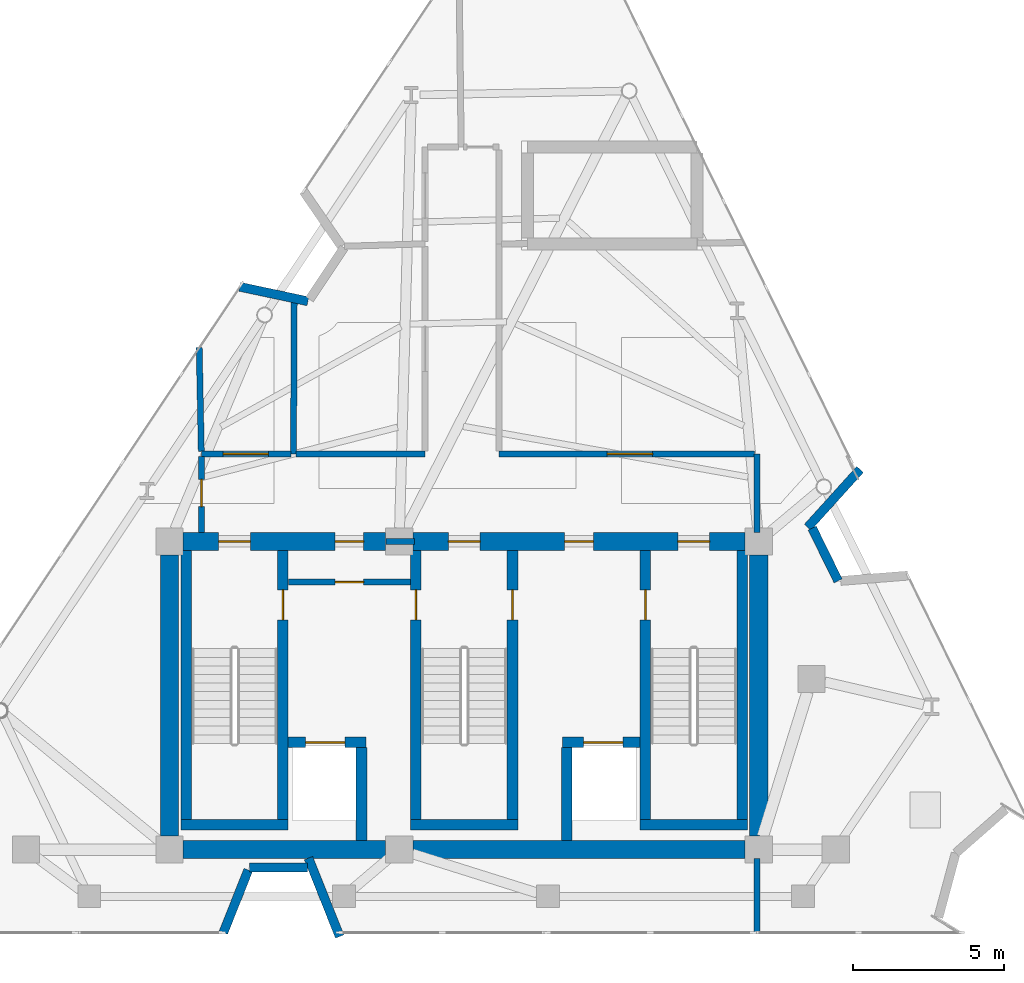
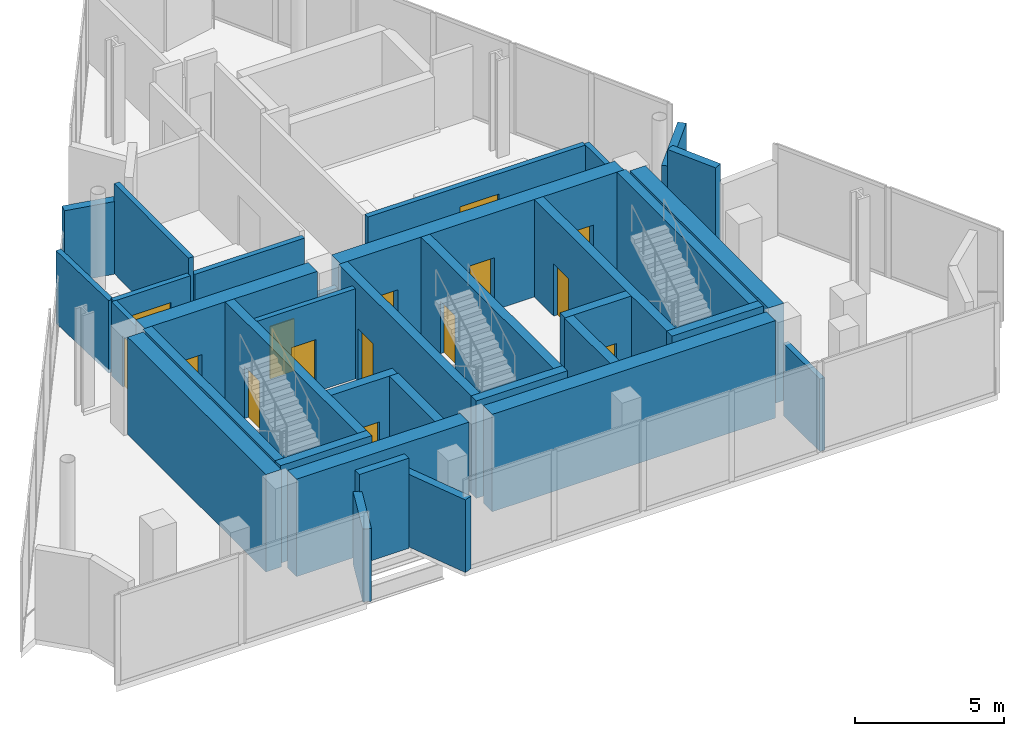
# One storey, part 6 of 9: 35 walls, 15 doors, 15 openings.
"""IFC4 building model written with IfcOpenShell, lengths in metres."""

from ifc_helpers import new_model, si_unit, direction, frame, frame_2d, origin, place, context, subcontext, project, spatial, rectangle, extrude, material, layer, layer_set, type_object, element, fill, save


model = new_model("IFC4")

# Units and contexts
model_context = context("Model", 3, precision=1e-05, world=origin(), true_north=direction((0.0, 1.0)))
body_context = subcontext(model_context, "Body", "Model", "MODEL_VIEW")
ifc_project = project(units=[si_unit("LENGTHUNIT", "METRE"), si_unit("AREAUNIT", "SQUARE_METRE"), si_unit("VOLUMEUNIT", "CUBIC_METRE"), si_unit("PLANEANGLEUNIT", "RADIAN"), si_unit("MASSUNIT", "GRAM", prefix="KILO")], contexts=[model_context])

# Site, building, storey
site_placement = place(None, origin())
site = spatial("IfcSite", under=ifc_project, at=site_placement, CompositionType="ELEMENT")
building_placement = place(site_placement, origin())
building = spatial("IfcBuilding", under=site, at=building_placement, Name="Almagre Mirador Tower", CompositionType="ELEMENT")
storey_placement = place(building_placement, frame((0.0, 0.0, 310.5)))
storey = spatial("IfcBuildingStorey", under=building, at=storey_placement, Name="L80", CompositionType="ELEMENT", Elevation=310.5)

# Walls
ifc_material_1 = material(Name="Precast concrete C50/60", Category="concrete")
ifc_layer_1 = layer(ifc_material_1, 0.300048828125)
ifc_layer_set_1 = layer_set([ifc_layer_1], Name="Precast concrete C50/60")
wall_type_1 = type_object("IfcWallType", Name="WAL-EXT-300", PredefinedType="SOLIDWALL", material=ifc_layer_set_1)
wall_1_placement = place(storey_placement, frame((29.872314453125, 23.178955078125, 0.0), z_axis=(0.0, 0.0, 1.0), x_axis=(0.978066490773, -0.208292917849, 0.0)))
element("IfcWall", 1, at=wall_1_placement, inside=storey, type_object=wall_type_1, Name="L80 expressed almagre precast frame wall 01", PredefinedType="SOLIDWALL", context=body_context, shape_type="SweptSolid", body=[
    extrude(rectangle(XDim=2.306640625, YDim=0.300048828125, at=frame_2d((1.1533203125, 0.0))), origin(), (0.0, 0.0, 1.0), 2.98193359375),
])
wall_2_placement = place(storey_placement, frame((50.40478515625, 17.133544921875, 0.0), z_axis=(0.0, 0.0, 1.0), x_axis=(-0.670777387581, -0.741658746534, 0.0)))
element("IfcWall", 2, at=wall_2_placement, inside=storey, type_object=wall_type_1, Name="L80 expressed almagre precast frame wall 06", PredefinedType="SOLIDWALL", context=body_context, shape_type="SweptSolid", body=[
    extrude(rectangle(XDim=2.586669921875, YDim=0.300048828125, at=frame_2d((1.29345703125, 0.0))), origin(), (0.0, 0.0, 1.0), 2.98193359375),
])
wall_3_placement = place(storey_placement, frame((48.8193359375, 15.191162109375, 0.0), z_axis=(0.0, 0.0, 1.0), x_axis=(0.441082896779, -0.897466366038, 0.0)))
element("IfcWall", 3, at=wall_3_placement, inside=storey, type_object=wall_type_1, Name="L80 expressed almagre precast frame wall 07", PredefinedType="SOLIDWALL", context=body_context, shape_type="SweptSolid", body=[
    extrude(rectangle(XDim=1.94677734375, YDim=0.300048828125, at=frame_2d((0.973388671875, 0.0))), origin(), (0.0, 0.0, 1.0), 3.699951171875),
])
wall_4_placement = place(storey_placement, frame((33.1796875, 1.670166015625, 0.0), z_axis=(0.0, 0.0, 1.0), x_axis=(-0.369522281606, 0.929221869844, 0.0)))
element("IfcWall", 4, at=wall_4_placement, inside=storey, type_object=wall_type_1, Name="L80 expressed almagre precast frame wall 11", PredefinedType="SOLIDWALL", context=body_context, shape_type="SweptSolid", body=[
    extrude(rectangle(XDim=2.794677734375, YDim=0.300048828125, at=frame_2d((1.3974609375, 0.0))), origin(), (0.0, 0.0, 1.0), 2.98193359375),
])
wall_5_placement = place(storey_placement, frame((32.111083984375, 3.949951171875, 0.0), z_axis=(0.0, 0.0, 1.0), x_axis=(-1.0, 0.0, 0.0)))
element("IfcWall", 5, at=wall_5_placement, inside=storey, type_object=wall_type_1, Name="L80 expressed almagre precast frame wall 12", PredefinedType="SOLIDWALL", context=body_context, shape_type="SweptSolid", body=[
    extrude(rectangle(XDim=1.92138671875, YDim=0.300048828125, at=frame_2d((0.960693359375, 0.0))), origin(), (0.0, 0.0, 1.0), 3.699951171875),
])
wall_6_placement = place(storey_placement, frame((30.152099609375, 3.872314453125, 0.0), z_axis=(0.0, 0.0, 1.0), x_axis=(-0.369521081778, -0.929222346977, 0.0)))
element("IfcWall", 6, at=wall_6_placement, inside=storey, type_object=wall_type_1, Name="L80 expressed almagre precast frame wall 13", PredefinedType="SOLIDWALL", context=body_context, shape_type="SweptSolid", body=[
    extrude(rectangle(XDim=2.229736328125, YDim=0.300048828125, at=frame_2d((1.11474609375, 0.0))), origin(), (0.0, 0.0, 1.0), 2.98193359375),
])
ifc_material_2 = material(Name="Gypsum acoustic stud partition", Category="other")
ifc_layer_2 = layer(ifc_material_2, 0.199951171875)
ifc_layer_set_2 = layer_set([ifc_layer_2], Name="Gypsum acoustic stud partition")
wall_type_2 = type_object("IfcWallType", Name="WAL-PRT-200-EI60", PredefinedType="PARTITIONING", material=ifc_layer_set_2)
wall_7_placement = place(storey_placement, frame((34.719970703125, 14.75, 0.0), z_axis=(0.0, 0.0, 1.0), x_axis=(1.0, 0.0, 0.0)))
element("IfcWall", 7, at=wall_7_placement, inside=storey, type_object=wall_type_2, Name="L80 core north closure wall", PredefinedType="PARTITIONING", context=body_context, shape_type="SweptSolid", body=[
    extrude(rectangle(XDim=0.93505859375, YDim=0.199951171875, at=frame_2d((0.467529296875, 0.0))), origin(), (0.0, 0.0, 1.0), 2.885009765625),
])

# Wall, opening, door
wall_8_placement = place(storey_placement, frame((31.47998046875, 13.39990234375, 0.0), z_axis=(0.0, 0.0, 1.0), x_axis=(1.0, 0.0, 0.0)))
wall_8 = element("IfcWall", 8, at=wall_8_placement, inside=storey, type_object=wall_type_2, Name="L80 FFL-1 north enclosure wall", PredefinedType="PARTITIONING", context=body_context, shape_type="SweptSolid", body=[
    extrude(rectangle(XDim=4.0400390625, YDim=0.199951171875, at=frame_2d((2.02001953125, 0.0))), origin(), (0.0, 0.0, 1.0), 3.699951171875),
])
opening_1_placement = place(wall_8_placement, frame((1.544921875, 0.0, 0.0)))
opening_1 = element("IfcOpeningElement", 9, at=opening_1_placement, cuts=wall_8, Name="Opening ID-02", PredefinedType="OPENING", context=body_context, shape_type="SweptSolid", body=[
    extrude(rectangle(XDim=0.949951171875, YDim=2.14990234375, at=frame_2d((0.47509765625, 1.074951171875))), frame((0.0, 0.110098, 0.0), z_axis=(0.0, -1.0, 0.0), x_axis=(1.0, 0.0, 0.0)), (0.0, 0.0, 1.0), 0.219951),
])
ifc_material_3 = material(Name="Fire-rated walnut timber", Category="wood")
door_type_1 = type_object("IfcDoorType", Name="DOR-FD60-950X2150", OperationType="NOTDEFINED", PredefinedType="DOOR", material=ifc_material_3)
door_1_placement = place(opening_1_placement, origin())
door_1 = element("IfcDoor", 10, at=door_1_placement, inside=storey, type_object=door_type_1, Name="DR-2336 L80 FFL-1 north smoke door", OperationType="SINGLE_SWING_RIGHT", OverallHeight=2.14990234375, OverallWidth=0.949951171875, PredefinedType="DOOR", context=body_context, shape_type="SweptSolid", body=[
    extrude(rectangle(XDim=0.949951171875, YDim=2.14990234375, at=frame_2d((0.47509765625, 1.074951171875))), frame((0.0, 0.02490234375, 0.0), z_axis=(0.0, -1.0, 0.0), x_axis=(1.0, 0.0, 0.0)), (0.0, 0.0, 1.0), 0.050048828125),
])
fill(opening_1, door_1)

# Wall
wall_9_placement = place(storey_placement, frame((31.64990234375, 17.64990234375, 0.0), z_axis=(0.0, 0.0, 1.0), x_axis=(0.004983246461, 0.99998758355, 0.0)))
element("IfcWall", 11, at=wall_9_placement, inside=storey, type_object=wall_type_2, Name="L80 interior partition 001", PredefinedType="PARTITIONING", context=body_context, shape_type="SweptSolid", body=[
    extrude(rectangle(XDim=5.046142578125, YDim=0.199951171875, at=frame_2d((2.52294921875, 0.0))), origin(), (0.0, 0.0, 1.0), 3.699951171875),
])

# Wall, opening, door
wall_10_placement = place(storey_placement, frame((28.60009765625, 17.64990234375, 0.0), z_axis=(0.0, 0.0, 1.0), x_axis=(1.0, 0.0, 0.0)))
wall_10 = element("IfcWall", 12, at=wall_10_placement, inside=storey, type_object=wall_type_2, Name="L80 interior partition 002", PredefinedType="PARTITIONING", context=body_context, shape_type="SweptSolid", body=[
    extrude(rectangle(XDim=2.96484375, YDim=0.199951171875, at=frame_2d((1.482421875, 0.0))), origin(), (0.0, 0.0, 1.0), 3.034912109375),
])
opening_2_placement = place(wall_10_placement, frame((0.71728515625, 0.0, 0.0)))
opening_2 = element("IfcOpeningElement", 13, at=opening_2_placement, cuts=wall_10, Name="Opening ID-04", PredefinedType="OPENING", context=body_context, shape_type="SweptSolid", body=[
    extrude(rectangle(XDim=1.5, YDim=2.199951171875, at=frame_2d((0.75, 1.10009765625))), frame((0.0, 0.110098, 0.0), z_axis=(0.0, -1.0, 0.0), x_axis=(1.0, 0.0, 0.0)), (0.0, 0.0, 1.0), 0.219951),
])
ifc_material_4 = material(Name="Fire-rated hollow steel", Category="steel")
door_type_2 = type_object("IfcDoorType", Name="DOR-FD60-1500X2200", OperationType="DOUBLE_DOOR_SINGLE_SWING", PredefinedType="DOOR", material=ifc_material_4)
door_2_placement = place(opening_2_placement, origin())
door_2 = element("IfcDoor", 14, at=door_2_placement, inside=storey, type_object=door_type_2, Name="DR-2341 L80 interior door L80-KPLT1 to L80-KCOR", OperationType="DOUBLE_DOOR_SINGLE_SWING", OverallHeight=2.199951171875, OverallWidth=1.5, PredefinedType="DOOR", context=body_context, shape_type="SweptSolid", body=[
    extrude(rectangle(XDim=1.5, YDim=2.199951171875, at=frame_2d((0.75, 1.10009765625))), frame((0.0, 0.02490234375, 0.0), z_axis=(0.0, -1.0, 0.0), x_axis=(1.0, 0.0, 0.0)), (0.0, 0.0, 1.0), 0.050048828125),
])
fill(opening_2, door_2)

# Walls
wall_11_placement = place(storey_placement, frame((28.529052734375, 21.1669921875, 0.0), z_axis=(0.0, 0.0, 1.0), x_axis=(0.020199335294, -0.999795972613, 0.0)))
element("IfcWall", 15, at=wall_11_placement, inside=storey, type_object=wall_type_2, Name="L80 interior partition 003", PredefinedType="PARTITIONING", context=body_context, shape_type="SweptSolid", body=[
    extrude(rectangle(XDim=3.4326171875, YDim=0.199951171875, at=frame_2d((1.71630859375, 0.0))), origin(), (0.0, 0.0, 1.0), 2.97705078125),
])
wall_12_placement = place(storey_placement, frame((31.735107421875, 17.64990234375, 0.0), z_axis=(0.0, 0.0, 1.0), x_axis=(1.0, 0.0, 0.0)))
element("IfcWall", 16, at=wall_12_placement, inside=storey, type_object=wall_type_2, Name="L80 interior partition 008", PredefinedType="PARTITIONING", context=body_context, shape_type="SweptSolid", body=[
    extrude(rectangle(XDim=4.264892578125, YDim=0.199951171875, at=frame_2d((2.13232421875, 0.0))), origin(), (0.0, 0.0, 1.0), 3.034912109375),
])
wall_13_placement = place(storey_placement, frame((47.0, 1.800048828125, 0.0), z_axis=(0.0, 0.0, 1.0), x_axis=(0.0, 1.0, 0.0)))
element("IfcWall", 17, at=wall_13_placement, inside=storey, type_object=wall_type_2, Name="L80 interior partition 011", PredefinedType="PARTITIONING", context=body_context, shape_type="SweptSolid", body=[
    extrude(rectangle(XDim=2.449951171875, YDim=0.199951171875, at=frame_2d((1.22509765625, 0.0))), origin(), (0.0, 0.0, 1.0), 2.97705078125),
])

# Wall, opening, door
wall_14_placement = place(storey_placement, frame((28.60009765625, 17.56494140625, 0.0), z_axis=(0.0, 0.0, 1.0), x_axis=(0.0, -1.0, 0.0)))
wall_14 = element("IfcWall", 18, at=wall_14_placement, inside=storey, type_object=wall_type_2, Name="L80 interior partition 015", PredefinedType="PARTITIONING", context=body_context, shape_type="SweptSolid", body=[
    extrude(rectangle(XDim=2.514892578125, YDim=0.199951171875, at=frame_2d((1.25732421875, 0.0))), origin(), (0.0, 0.0, 1.0), 3.034912109375),
])
opening_3_placement = place(wall_14_placement, frame((0.764892578125, 0.0, 0.0)))
opening_3 = element("IfcOpeningElement", 19, at=opening_3_placement, cuts=wall_14, Name="Opening ID-03", PredefinedType="OPENING", context=body_context, shape_type="SweptSolid", body=[
    extrude(rectangle(XDim=0.89990234375, YDim=2.10009765625, at=frame_2d((0.449951171875, 1.050048828125))), frame((0.0, 0.110098, 0.0), z_axis=(0.0, -1.0, 0.0), x_axis=(1.0, 0.0, 0.0)), (0.0, 0.0, 1.0), 0.219951),
])
ifc_material_5 = material(Name="Fire-rated hollow steel", Category="steel")
door_type_3 = type_object("IfcDoorType", Name="DOR-FD60-900X2100", OperationType="NOTDEFINED", PredefinedType="DOOR", material=ifc_material_5)
door_3_placement = place(opening_3_placement, origin())
door_3 = element("IfcDoor", 20, at=door_3_placement, inside=storey, type_object=door_type_3, Name="DR-2343 L80 interior door L80-KCOR to L80-KPLT4", OperationType="SINGLE_SWING_LEFT", OverallHeight=2.10009765625, OverallWidth=0.89990234375, PredefinedType="DOOR", context=body_context, shape_type="SweptSolid", body=[
    extrude(rectangle(XDim=0.89990234375, YDim=2.10009765625, at=frame_2d((0.449951171875, 1.050048828125))), frame((0.0, 0.02490234375, 0.0), z_axis=(0.0, -1.0, 0.0), x_axis=(1.0, 0.0, 0.0)), (0.0, 0.0, 1.0), 0.050048828125),
])
fill(opening_3, door_3)

# Wall
wall_15_placement = place(storey_placement, frame((47.0, 15.050048828125, 0.0), z_axis=(0.0, 0.0, 1.0), x_axis=(0.0, 1.0, 0.0)))
element("IfcWall", 21, at=wall_15_placement, inside=storey, type_object=wall_type_2, Name="L80 interior partition 016", PredefinedType="PARTITIONING", context=body_context, shape_type="SweptSolid", body=[
    extrude(rectangle(XDim=2.599853515625, YDim=0.199951171875, at=frame_2d((1.2998046875, 0.0))), origin(), (0.0, 0.0, 1.0), 3.034912109375),
])

# Wall, opening, door
wall_16_placement = place(storey_placement, frame((46.9150390625, 17.64990234375, 0.0), z_axis=(0.0, 0.0, 1.0), x_axis=(-1.0, 0.0, 0.0)))
wall_16 = element("IfcWall", 22, at=wall_16_placement, inside=storey, type_object=wall_type_2, Name="L80 interior partition 017", PredefinedType="PARTITIONING", context=body_context, shape_type="SweptSolid", body=[
    extrude(rectangle(XDim=8.465087890625, YDim=0.199951171875, at=frame_2d((4.232421875, 0.0))), origin(), (0.0, 0.0, 1.0), 3.034912109375),
])
opening_4_placement = place(wall_16_placement, frame((3.380615234375, 0.0, 0.0)))
opening_4 = element("IfcOpeningElement", 23, at=opening_4_placement, cuts=wall_16, Name="Opening ID-04", PredefinedType="OPENING", context=body_context, shape_type="SweptSolid", body=[
    extrude(rectangle(XDim=1.5, YDim=2.199951171875, at=frame_2d((0.75, 1.10009765625))), frame((0.0, 0.110098, 0.0), z_axis=(0.0, -1.0, 0.0), x_axis=(1.0, 0.0, 0.0)), (0.0, 0.0, 1.0), 0.219951),
])
door_4_placement = place(opening_4_placement, origin())
door_4 = element("IfcDoor", 24, at=door_4_placement, inside=storey, type_object=door_type_2, Name="DR-2344 L80 interior door L80-KCOR to L80-KPLT5", OperationType="DOUBLE_DOOR_SINGLE_SWING", OverallHeight=2.199951171875, OverallWidth=1.5, PredefinedType="DOOR", context=body_context, shape_type="SweptSolid", body=[
    extrude(rectangle(XDim=1.5, YDim=2.199951171875, at=frame_2d((0.75, 1.10009765625))), frame((0.0, 0.02490234375, 0.0), z_axis=(0.0, -1.0, 0.0), x_axis=(1.0, 0.0, 0.0)), (0.0, 0.0, 1.0), 0.050048828125),
])
fill(opening_4, door_4)

# Wall
ifc_material_6 = material(Name="Concrete C60/75", Category="concrete")
ifc_layer_3 = layer(ifc_material_6, 0.35009765625)
ifc_layer_set_3 = layer_set([ifc_layer_3], Name="Concrete C60/75")
wall_type_3 = type_object("IfcWallType", Name="WAL-SHF-350", PredefinedType="SOLIDWALL", material=ifc_layer_set_3)
wall_17_placement = place(storey_placement, frame((28.10009765625, 5.199951171875, 0.0), z_axis=(0.0, 0.0, 1.0), x_axis=(0.0, 1.0, 0.0)))
element("IfcWall", 25, at=wall_17_placement, inside=storey, type_object=wall_type_3, Name="L80 shaft wall ST1-W", PredefinedType="SOLIDWALL", context=body_context, shape_type="SweptSolid", body=[
    extrude(rectangle(XDim=9.25, YDim=0.35009765625, at=frame_2d((4.625, 0.0))), origin(), (0.0, 0.0, 1.0), 4.0),
])

# Wall, opening, door
wall_18_placement = place(storey_placement, frame((31.300048828125, 5.199951171875, 0.0), z_axis=(0.0, 0.0, 1.0), x_axis=(0.0, 1.0, 0.0)))
wall_18 = element("IfcWall", 26, at=wall_18_placement, inside=storey, type_object=wall_type_3, Name="L80 shaft wall ST1-E", PredefinedType="SOLIDWALL", context=body_context, shape_type="SweptSolid", body=[
    extrude(rectangle(XDim=9.25, YDim=0.35009765625, at=frame_2d((4.625, 0.0))), origin(), (0.0, 0.0, 1.0), 4.0),
])
opening_5_placement = place(wall_18_placement, frame((6.949951171875, 0.0, 0.0)))
opening_5 = element("IfcOpeningElement", 27, at=opening_5_placement, cuts=wall_18, Name="Opening FD-01", PredefinedType="OPENING", context=body_context, shape_type="SweptSolid", body=[
    extrude(rectangle(XDim=1.0, YDim=2.14990234375, at=frame_2d((0.5, 1.074951171875))), frame((0.0, 0.185049, 0.0), z_axis=(0.0, -1.0, 0.0), x_axis=(1.0, 0.0, 0.0)), (0.0, 0.0, 1.0), 0.370098),
])
ifc_material_7 = material(Name="Fire-rated hollow steel", Category="steel")
door_type_4 = type_object("IfcDoorType", Name="DOR-FFL-1000X2150", OperationType="NOTDEFINED", PredefinedType="DOOR", material=ifc_material_7)
door_5_placement = place(opening_5_placement, origin())
door_5 = element("IfcDoor", 28, at=door_5_placement, inside=storey, type_object=door_type_4, Name="DR-2337 L80 FFL1-ST1 smokeproof door", OperationType="SINGLE_SWING_RIGHT", OverallHeight=2.14990234375, OverallWidth=1.0, PredefinedType="DOOR", context=body_context, shape_type="SweptSolid", body=[
    extrude(rectangle(XDim=1.0, YDim=2.14990234375, at=frame_2d((0.5, 1.074951171875))), frame((0.0, 0.02490234375, 0.0), z_axis=(0.0, -1.0, 0.0), x_axis=(1.0, 0.0, 0.0)), (0.0, 0.0, 1.0), 0.050048828125),
])
fill(opening_5, door_5)

# Wall
wall_19_placement = place(storey_placement, frame((27.925048828125, 5.375, 0.0), z_axis=(0.0, 0.0, 1.0), x_axis=(1.0, 0.0, 0.0)))
element("IfcWall", 29, at=wall_19_placement, inside=storey, type_object=wall_type_3, Name="L80 shaft wall ST1-S", PredefinedType="SOLIDWALL", context=body_context, shape_type="SweptSolid", body=[
    extrude(rectangle(XDim=3.550048828125, YDim=0.35009765625, at=frame_2d((1.77490234375, 0.0))), origin(), (0.0, 0.0, 1.0), 4.0),
])

# Wall, opening, door
wall_20_placement = place(storey_placement, frame((35.699951171875, 5.199951171875, 0.0), z_axis=(0.0, 0.0, 1.0), x_axis=(0.0, 1.0, 0.0)))
wall_20 = element("IfcWall", 30, at=wall_20_placement, inside=storey, type_object=wall_type_3, Name="L80 shaft wall ST2-W", PredefinedType="SOLIDWALL", context=body_context, shape_type="SweptSolid", body=[
    extrude(rectangle(XDim=9.25, YDim=0.35009765625, at=frame_2d((4.625, 0.0))), origin(), (0.0, 0.0, 1.0), 4.0),
])
opening_6_placement = place(wall_20_placement, frame((6.949951171875, 0.0, 0.0)))
opening_6 = element("IfcOpeningElement", 31, at=opening_6_placement, cuts=wall_20, Name="Opening FD-01", PredefinedType="OPENING", context=body_context, shape_type="SweptSolid", body=[
    extrude(rectangle(XDim=1.0, YDim=2.14990234375, at=frame_2d((0.5, 1.074951171875))), frame((0.0, 0.185049, 0.0), z_axis=(0.0, -1.0, 0.0), x_axis=(1.0, 0.0, 0.0)), (0.0, 0.0, 1.0), 0.370098),
])
door_6_placement = place(opening_6_placement, origin())
door_6 = element("IfcDoor", 32, at=door_6_placement, inside=storey, type_object=door_type_4, Name="DR-2338 L80 FFL1-ST2 smokeproof door", OperationType="SINGLE_SWING_LEFT", OverallHeight=2.14990234375, OverallWidth=1.0, PredefinedType="DOOR", context=body_context, shape_type="SweptSolid", body=[
    extrude(rectangle(XDim=1.0, YDim=2.14990234375, at=frame_2d((0.5, 1.074951171875))), frame((0.0, 0.02490234375, 0.0), z_axis=(0.0, -1.0, 0.0), x_axis=(1.0, 0.0, 0.0)), (0.0, 0.0, 1.0), 0.050048828125),
])
fill(opening_6, door_6)

wall_21_placement = place(storey_placement, frame((38.89990234375, 5.199951171875, 0.0), z_axis=(0.0, 0.0, 1.0), x_axis=(0.0, 1.0, 0.0)))
wall_21 = element("IfcWall", 33, at=wall_21_placement, inside=storey, type_object=wall_type_3, Name="L80 shaft wall ST2-E", PredefinedType="SOLIDWALL", context=body_context, shape_type="SweptSolid", body=[
    extrude(rectangle(XDim=9.25, YDim=0.35009765625, at=frame_2d((4.625, 0.0))), origin(), (0.0, 0.0, 1.0), 4.0),
])
opening_7_placement = place(wall_21_placement, frame((6.949951171875, 0.0, 0.0)))
opening_7 = element("IfcOpeningElement", 34, at=opening_7_placement, cuts=wall_21, Name="Opening FD-01", PredefinedType="OPENING", context=body_context, shape_type="SweptSolid", body=[
    extrude(rectangle(XDim=1.0, YDim=2.14990234375, at=frame_2d((0.5, 1.074951171875))), frame((0.0, 0.185049, 0.0), z_axis=(0.0, -1.0, 0.0), x_axis=(1.0, 0.0, 0.0)), (0.0, 0.0, 1.0), 0.370098),
])
door_7_placement = place(opening_7_placement, origin())
door_7 = element("IfcDoor", 35, at=door_7_placement, inside=storey, type_object=door_type_4, Name="DR-2339 L80 FFL2-ST2 smokeproof door", OperationType="SINGLE_SWING_RIGHT", OverallHeight=2.14990234375, OverallWidth=1.0, PredefinedType="DOOR", context=body_context, shape_type="SweptSolid", body=[
    extrude(rectangle(XDim=1.0, YDim=2.14990234375, at=frame_2d((0.5, 1.074951171875))), frame((0.0, 0.02490234375, 0.0), z_axis=(0.0, -1.0, 0.0), x_axis=(1.0, 0.0, 0.0)), (0.0, 0.0, 1.0), 0.050048828125),
])
fill(opening_7, door_7)

# Wall
wall_22_placement = place(storey_placement, frame((35.52490234375, 5.375, 0.0), z_axis=(0.0, 0.0, 1.0), x_axis=(1.0, 0.0, 0.0)))
element("IfcWall", 36, at=wall_22_placement, inside=storey, type_object=wall_type_3, Name="L80 shaft wall ST2-S", PredefinedType="SOLIDWALL", context=body_context, shape_type="SweptSolid", body=[
    extrude(rectangle(XDim=3.550048828125, YDim=0.35009765625, at=frame_2d((1.77490234375, 0.0))), origin(), (0.0, 0.0, 1.0), 4.0),
])

# Wall, opening, door
wall_23_placement = place(storey_placement, frame((43.300048828125, 5.199951171875, 0.0), z_axis=(0.0, 0.0, 1.0), x_axis=(0.0, 1.0, 0.0)))
wall_23 = element("IfcWall", 37, at=wall_23_placement, inside=storey, type_object=wall_type_3, Name="L80 shaft wall ST3-W", PredefinedType="SOLIDWALL", context=body_context, shape_type="SweptSolid", body=[
    extrude(rectangle(XDim=9.25, YDim=0.35009765625, at=frame_2d((4.625, 0.0))), origin(), (0.0, 0.0, 1.0), 4.0),
])
opening_8_placement = place(wall_23_placement, frame((6.949951171875, 0.0, 0.0)))
opening_8 = element("IfcOpeningElement", 38, at=opening_8_placement, cuts=wall_23, Name="Opening FD-01", PredefinedType="OPENING", context=body_context, shape_type="SweptSolid", body=[
    extrude(rectangle(XDim=1.0, YDim=2.14990234375, at=frame_2d((0.5, 1.074951171875))), frame((0.0, 0.185049, 0.0), z_axis=(0.0, -1.0, 0.0), x_axis=(1.0, 0.0, 0.0)), (0.0, 0.0, 1.0), 0.370098),
])
door_8_placement = place(opening_8_placement, origin())
door_8 = element("IfcDoor", 39, at=door_8_placement, inside=storey, type_object=door_type_4, Name="DR-2340 L80 FFL2-ST3 smokeproof door", OperationType="SINGLE_SWING_LEFT", OverallHeight=2.14990234375, OverallWidth=1.0, PredefinedType="DOOR", context=body_context, shape_type="SweptSolid", body=[
    extrude(rectangle(XDim=1.0, YDim=2.14990234375, at=frame_2d((0.5, 1.074951171875))), frame((0.0, 0.02490234375, 0.0), z_axis=(0.0, -1.0, 0.0), x_axis=(1.0, 0.0, 0.0)), (0.0, 0.0, 1.0), 0.050048828125),
])
fill(opening_8, door_8)

# Walls
wall_24_placement = place(storey_placement, frame((46.5, 5.199951171875, 0.0), z_axis=(0.0, 0.0, 1.0), x_axis=(0.0, 1.0, 0.0)))
element("IfcWall", 40, at=wall_24_placement, inside=storey, type_object=wall_type_3, Name="L80 shaft wall ST3-E", PredefinedType="SOLIDWALL", context=body_context, shape_type="SweptSolid", body=[
    extrude(rectangle(XDim=9.25, YDim=0.35009765625, at=frame_2d((4.625, 0.0))), origin(), (0.0, 0.0, 1.0), 4.0),
])
wall_25_placement = place(storey_placement, frame((43.125, 5.375, 0.0), z_axis=(0.0, 0.0, 1.0), x_axis=(1.0, 0.0, 0.0)))
element("IfcWall", 41, at=wall_25_placement, inside=storey, type_object=wall_type_3, Name="L80 shaft wall ST3-S", PredefinedType="SOLIDWALL", context=body_context, shape_type="SweptSolid", body=[
    extrude(rectangle(XDim=3.550048828125, YDim=0.35009765625, at=frame_2d((1.77490234375, 0.0))), origin(), (0.0, 0.0, 1.0), 4.0),
])

# Wall, opening, door
wall_26_placement = place(storey_placement, frame((31.47509765625, 8.10009765625, 0.0), z_axis=(0.0, 0.0, 1.0), x_axis=(1.0, 0.0, 0.0)))
wall_26 = element("IfcWall", 42, at=wall_26_placement, inside=storey, type_object=wall_type_3, Name="L80 shaft wall FSAE1-N", PredefinedType="SOLIDWALL", context=body_context, shape_type="SweptSolid", body=[
    extrude(rectangle(XDim=2.574951171875, YDim=0.35009765625, at=frame_2d((1.28759765625, 0.0))), origin(), (0.0, 0.0, 1.0), 4.0),
])
opening_9_placement = place(wall_26_placement, frame((0.574951171875, 0.0, 0.0)))
opening_9 = element("IfcOpeningElement", 43, at=opening_9_placement, cuts=wall_26, Name="Opening LD-03", PredefinedType="OPENING", context=body_context, shape_type="SweptSolid", body=[
    extrude(rectangle(XDim=1.300048828125, YDim=2.25, at=frame_2d((0.64990234375, 1.125))), frame((0.0, 0.185049, 0.0), z_axis=(0.0, -1.0, 0.0), x_axis=(1.0, 0.0, 0.0)), (0.0, 0.0, 1.0), 0.370098),
])
ifc_material_8 = material(Name="Hollow stainless steel", Category="steel")
door_type_5 = type_object("IfcDoorType", Name="DOR-LD-1300X2250", OperationType="DOUBLE_DOOR_SLIDING", PredefinedType="DOOR", material=ifc_material_8)
door_9_placement = place(opening_9_placement, origin())
door_9 = element("IfcDoor", 44, at=door_9_placement, inside=storey, type_object=door_type_5, Name="DR-2347 L80 FSAE-1 lift landing door", OperationType="DOUBLE_DOOR_SLIDING", OverallHeight=2.25, OverallWidth=1.300048828125, PredefinedType="DOOR", context=body_context, shape_type="SweptSolid", body=[
    extrude(rectangle(XDim=1.300048828125, YDim=2.25, at=frame_2d((0.64990234375, 1.125))), frame((0.0, 0.02490234375, 0.0), z_axis=(0.0, -1.0, 0.0), x_axis=(1.0, 0.0, 0.0)), (0.0, 0.0, 1.0), 0.050048828125),
])
fill(opening_9, door_9)

wall_27_placement = place(storey_placement, frame((40.550048828125, 8.10009765625, 0.0), z_axis=(0.0, 0.0, 1.0), x_axis=(1.0, 0.0, 0.0)))
wall_27 = element("IfcWall", 45, at=wall_27_placement, inside=storey, type_object=wall_type_3, Name="L80 shaft wall FSAE2-N", PredefinedType="SOLIDWALL", context=body_context, shape_type="SweptSolid", body=[
    extrude(rectangle(XDim=2.574951171875, YDim=0.35009765625, at=frame_2d((1.28759765625, 0.0))), origin(), (0.0, 0.0, 1.0), 4.0),
])
opening_10_placement = place(wall_27_placement, frame((0.699951171875, 0.0, 0.0)))
opening_10 = element("IfcOpeningElement", 46, at=opening_10_placement, cuts=wall_27, Name="Opening LD-03", PredefinedType="OPENING", context=body_context, shape_type="SweptSolid", body=[
    extrude(rectangle(XDim=1.300048828125, YDim=2.25, at=frame_2d((0.64990234375, 1.125))), frame((0.0, 0.185049, 0.0), z_axis=(0.0, -1.0, 0.0), x_axis=(1.0, 0.0, 0.0)), (0.0, 0.0, 1.0), 0.370098),
])
door_10_placement = place(opening_10_placement, origin())
door_10 = element("IfcDoor", 47, at=door_10_placement, inside=storey, type_object=door_type_5, Name="DR-2348 L80 FSAE-2 lift landing door", OperationType="DOUBLE_DOOR_SLIDING", OverallHeight=2.25, OverallWidth=1.300048828125, PredefinedType="DOOR", context=body_context, shape_type="SweptSolid", body=[
    extrude(rectangle(XDim=1.300048828125, YDim=2.25, at=frame_2d((0.64990234375, 1.125))), frame((0.0, 0.02490234375, 0.0), z_axis=(0.0, -1.0, 0.0), x_axis=(1.0, 0.0, 0.0)), (0.0, 0.0, 1.0), 0.050048828125),
])
fill(opening_10, door_10)

# Walls
for number, where, z_axis, x_axis, name in (
    (48, (33.89990234375, 4.85009765625, 0.0), (0.0, 0.0, 1.0), (0.0, 1.0, 0.0), "L80 shaft wall FSAE1-E"),
    (49, (40.699951171875, 4.85009765625, 0.0), (0.0, 0.0, 1.0), (0.0, 1.0, 0.0), "L80 shaft wall FSAE2-W"),
):
    element("IfcWall", number, at=place(storey_placement, frame(where, z_axis=z_axis, x_axis=x_axis)), inside=storey, type_object=wall_type_3, Name=name, PredefinedType="SOLIDWALL", context=body_context, shape_type="SweptSolid", body=[
        extrude(rectangle(XDim=3.074951171875, YDim=0.35009765625, at=frame_2d((1.53759765625, 0.0))), origin(), (0.0, 0.0, 1.0), 4.0),
    ])
ifc_material_9 = material(Name="Concrete C60/75", Category="concrete")
ifc_layer_4 = layer(ifc_material_9, 0.60009765625)
ifc_layer_set_4 = layer_set([ifc_layer_4], Name="Concrete C60/75")
wall_type_4 = type_object("IfcWallType", Name="WAL-SHR-600", PredefinedType="SHEAR", material=ifc_layer_set_4)
wall_28_placement = place(storey_placement, frame((28.0, 4.550048828125, 0.0), z_axis=(0.0, 0.0, 1.0), x_axis=(1.0, 0.0, 0.0)))
element("IfcWall", 50, at=wall_28_placement, inside=storey, type_object=wall_type_4, Name="L80 core shear wall S1", PredefinedType="SHEAR", context=body_context, shape_type="SweptSolid", body=[
    extrude(rectangle(XDim=6.699951171875, YDim=0.60009765625, at=frame_2d((3.35009765625, 0.0))), origin(), (0.0, 0.0, 1.0), 4.0),
])
wall_29_placement = place(storey_placement, frame((35.60009765625, 4.550048828125, 0.0), z_axis=(0.0, 0.0, 1.0), x_axis=(1.0, 0.0, 0.0)))
element("IfcWall", 51, at=wall_29_placement, inside=storey, type_object=wall_type_4, Name="L80 core shear wall S2", PredefinedType="SHEAR", context=body_context, shape_type="SweptSolid", body=[
    extrude(rectangle(XDim=11.0, YDim=0.60009765625, at=frame_2d((5.5, 0.0))), origin(), (0.0, 0.0, 1.0), 4.0),
])

# Wall, openings, doors
wall_30_placement = place(storey_placement, frame((28.0, 14.75, 0.0), z_axis=(0.0, 0.0, 1.0), x_axis=(1.0, 0.0, 0.0)))
wall_30 = element("IfcWall", 52, at=wall_30_placement, inside=storey, type_object=wall_type_4, Name="L80 core shear wall N1", PredefinedType="SHEAR", context=body_context, shape_type="SweptSolid", body=[
    extrude(rectangle(XDim=6.699951171875, YDim=0.60009765625, at=frame_2d((3.35009765625, 0.0))), origin(), (0.0, 0.0, 1.0), 4.0),
])
opening_11_placement = place(wall_30_placement, frame((1.175048828125, 0.0, 0.0)))
opening_11 = element("IfcOpeningElement", 53, at=opening_11_placement, cuts=wall_30, Name="Opening SD-01", PredefinedType="OPENING", context=body_context, shape_type="SweptSolid", body=[
    extrude(rectangle(XDim=1.050048828125, YDim=2.14990234375, at=frame_2d((0.52490234375, 1.074951171875))), frame((0.0, 0.310049, 0.0), z_axis=(0.0, -1.0, 0.0), x_axis=(1.0, 0.0, 0.0)), (0.0, 0.0, 1.0), 0.620098),
])
opening_12_placement = place(wall_30_placement, frame((5.02490234375, 0.0, 0.0)))
opening_12 = element("IfcOpeningElement", 54, at=opening_12_placement, cuts=wall_30, Name="Opening FD-02", PredefinedType="OPENING", context=body_context, shape_type="SweptSolid", body=[
    extrude(rectangle(XDim=0.949951171875, YDim=2.14990234375, at=frame_2d((0.47509765625, 1.074951171875))), frame((0.0, 0.310049, 0.0), z_axis=(0.0, -1.0, 0.0), x_axis=(1.0, 0.0, 0.0)), (0.0, 0.0, 1.0), 0.620098),
])
ifc_material_10 = material(Name="Fire-rated hollow steel", Category="steel")
door_type_6 = type_object("IfcDoorType", Name="DOR-FD90-950X2150", OperationType="NOTDEFINED", PredefinedType="DOOR", material=ifc_material_10)
door_11_placement = place(opening_12_placement, origin())
door_11 = element("IfcDoor", 55, at=door_11_placement, inside=storey, type_object=door_type_6, Name="DR-2335 L80 core equipment room north door", OperationType="SINGLE_SWING_LEFT", OverallHeight=2.14990234375, OverallWidth=0.949951171875, PredefinedType="DOOR", context=body_context, shape_type="SweptSolid", body=[
    extrude(rectangle(XDim=0.949951171875, YDim=2.14990234375, at=frame_2d((0.47509765625, 1.074951171875))), frame((0.0, 0.02490234375, 0.0), z_axis=(0.0, -1.0, 0.0), x_axis=(1.0, 0.0, 0.0)), (0.0, 0.0, 1.0), 0.050048828125),
])
fill(opening_12, door_11)
ifc_material_11 = material(Name="Fire-rated hollow steel", Category="steel")
door_type_7 = type_object("IfcDoorType", Name="DOR-ST-1050X2150", OperationType="NOTDEFINED", PredefinedType="DOOR", material=ifc_material_11)
door_12_placement = place(opening_11_placement, origin())
door_12 = element("IfcDoor", 56, at=door_12_placement, inside=storey, type_object=door_type_7, Name="DR-2349 L80 protected exit stair ST-1 door", OperationType="SINGLE_SWING_LEFT", OverallHeight=2.14990234375, OverallWidth=1.050048828125, PredefinedType="DOOR", context=body_context, shape_type="SweptSolid", body=[
    extrude(rectangle(XDim=1.050048828125, YDim=2.14990234375, at=frame_2d((0.52490234375, 1.074951171875))), frame((0.0, 0.02490234375, 0.0), z_axis=(0.0, -1.0, 0.0), x_axis=(1.0, 0.0, 0.0)), (0.0, 0.0, 1.0), 0.050048828125),
])
fill(opening_11, door_12)

wall_31_placement = place(storey_placement, frame((35.60009765625, 14.75, 0.0), z_axis=(0.0, 0.0, 1.0), x_axis=(1.0, 0.0, 0.0)))
wall_31 = element("IfcWall", 57, at=wall_31_placement, inside=storey, type_object=wall_type_4, Name="L80 core shear wall N2", PredefinedType="SHEAR", context=body_context, shape_type="SweptSolid", body=[
    extrude(rectangle(XDim=11.0, YDim=0.60009765625, at=frame_2d((5.5, 0.0))), origin(), (0.0, 0.0, 1.0), 4.0),
])
opening_13_placement = place(wall_31_placement, frame((1.175048828125, 0.0, 0.0)))
opening_13 = element("IfcOpeningElement", 58, at=opening_13_placement, cuts=wall_31, Name="Opening SD-01", PredefinedType="OPENING", context=body_context, shape_type="SweptSolid", body=[
    extrude(rectangle(XDim=1.050048828125, YDim=2.14990234375, at=frame_2d((0.52490234375, 1.074951171875))), frame((0.0, 0.310049, 0.0), z_axis=(0.0, -1.0, 0.0), x_axis=(1.0, 0.0, 0.0)), (0.0, 0.0, 1.0), 0.620098),
])
opening_14_placement = place(wall_31_placement, frame((8.77490234375, 0.0, 0.0)))
opening_14 = element("IfcOpeningElement", 59, at=opening_14_placement, cuts=wall_31, Name="Opening SD-01", PredefinedType="OPENING", context=body_context, shape_type="SweptSolid", body=[
    extrude(rectangle(XDim=1.050048828125, YDim=2.14990234375, at=frame_2d((0.52490234375, 1.074951171875))), frame((0.0, 0.310049, 0.0), z_axis=(0.0, -1.0, 0.0), x_axis=(1.0, 0.0, 0.0)), (0.0, 0.0, 1.0), 0.620098),
])
opening_15_placement = place(wall_31_placement, frame((5.02490234375, 0.0, 0.0)))
opening_15 = element("IfcOpeningElement", 60, at=opening_15_placement, cuts=wall_31, Name="Opening FD-02", PredefinedType="OPENING", context=body_context, shape_type="SweptSolid", body=[
    extrude(rectangle(XDim=0.949951171875, YDim=2.14990234375, at=frame_2d((0.47509765625, 1.074951171875))), frame((0.0, 0.310049, 0.0), z_axis=(0.0, -1.0, 0.0), x_axis=(1.0, 0.0, 0.0)), (0.0, 0.0, 1.0), 0.620098),
])
door_13_placement = place(opening_15_placement, origin())
door_13 = element("IfcDoor", 61, at=door_13_placement, inside=storey, type_object=door_type_6, Name="DR-2334 L80 high-zone core room north door", OperationType="SINGLE_SWING_RIGHT", OverallHeight=2.14990234375, OverallWidth=0.949951171875, PredefinedType="DOOR", context=body_context, shape_type="SweptSolid", body=[
    extrude(rectangle(XDim=0.949951171875, YDim=2.14990234375, at=frame_2d((0.47509765625, 1.074951171875))), frame((0.0, 0.02490234375, 0.0), z_axis=(0.0, -1.0, 0.0), x_axis=(1.0, 0.0, 0.0)), (0.0, 0.0, 1.0), 0.050048828125),
])
fill(opening_15, door_13)
door_14_placement = place(opening_13_placement, origin())
door_14 = element("IfcDoor", 62, at=door_14_placement, inside=storey, type_object=door_type_7, Name="DR-2350 L80 protected exit stair ST-2 door", OperationType="SINGLE_SWING_RIGHT", OverallHeight=2.14990234375, OverallWidth=1.050048828125, PredefinedType="DOOR", context=body_context, shape_type="SweptSolid", body=[
    extrude(rectangle(XDim=1.050048828125, YDim=2.14990234375, at=frame_2d((0.52490234375, 1.074951171875))), frame((0.0, 0.02490234375, 0.0), z_axis=(0.0, -1.0, 0.0), x_axis=(1.0, 0.0, 0.0)), (0.0, 0.0, 1.0), 0.050048828125),
])
fill(opening_13, door_14)
door_15_placement = place(opening_14_placement, origin())
door_15 = element("IfcDoor", 63, at=door_15_placement, inside=storey, type_object=door_type_7, Name="DR-2351 L80 protected exit stair ST-3 door", OperationType="SINGLE_SWING_LEFT", OverallHeight=2.14990234375, OverallWidth=1.050048828125, PredefinedType="DOOR", context=body_context, shape_type="SweptSolid", body=[
    extrude(rectangle(XDim=1.050048828125, YDim=2.14990234375, at=frame_2d((0.52490234375, 1.074951171875))), frame((0.0, 0.02490234375, 0.0), z_axis=(0.0, -1.0, 0.0), x_axis=(1.0, 0.0, 0.0)), (0.0, 0.0, 1.0), 0.050048828125),
])
fill(opening_14, door_15)

# Walls
for number, where, z_axis, x_axis, name in (
    (64, (27.550048828125, 5.0, 0.0), (0.0, 0.0, 1.0), (0.0, 1.0, 0.0), "L80 core shear wall W1"),
    (65, (47.050048828125, 5.0, 0.0), (0.0, 0.0, 1.0), (0.0, 1.0, 0.0), "L80 core shear wall E1"),
):
    element("IfcWall", number, at=place(storey_placement, frame(where, z_axis=z_axis, x_axis=x_axis)), inside=storey, type_object=wall_type_4, Name=name, PredefinedType="SHEAR", context=body_context, shape_type="SweptSolid", body=[
        extrude(rectangle(XDim=9.300048828125, YDim=0.60009765625, at=frame_2d((4.64990234375, 0.0))), origin(), (0.0, 0.0, 1.0), 4.0),
    ])

save(model, "model.ifc")
